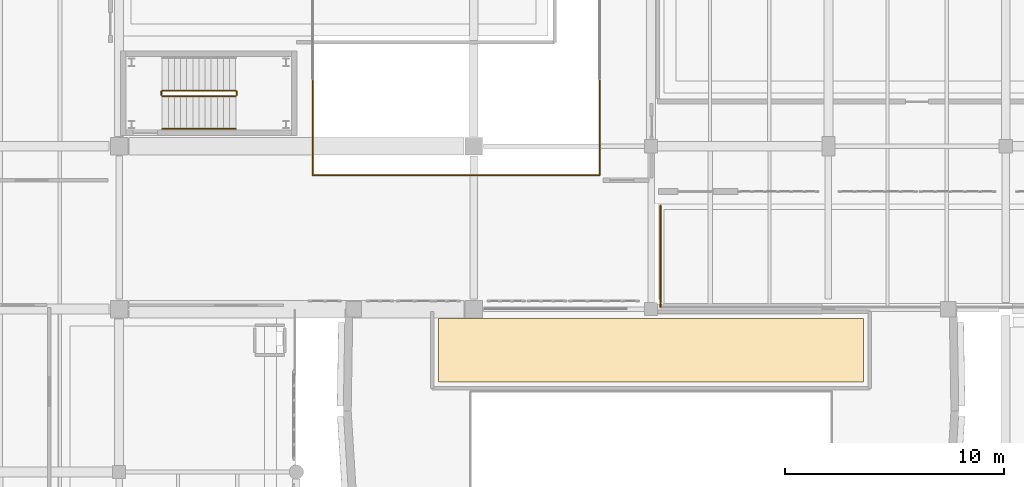
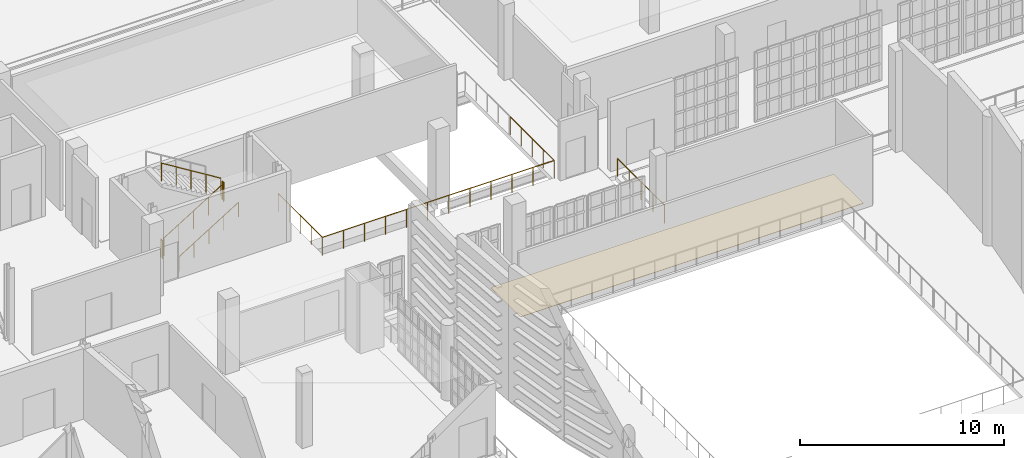
# One storey, part 68 of 73: 7 railings, 1 covering.
"""IFC4 building model written with IfcOpenShell, lengths in metres."""

from ifc_helpers import new_model, si_unit, direction, frame, origin, origin_2d, place, context, subcontext, project, spatial, polyline, circle, outline, extrude, material, layer, layer_set, type_object, element, save


model = new_model("IFC4")

# Units and contexts
model_context = context("Model", 3, precision=1e-05, world=origin(), true_north=direction((0.0, 1.0)))
body_context = subcontext(model_context, "Body", "Model", "MODEL_VIEW")
ifc_project = project(units=[si_unit("LENGTHUNIT", "METRE"), si_unit("AREAUNIT", "SQUARE_METRE"), si_unit("VOLUMEUNIT", "CUBIC_METRE"), si_unit("PLANEANGLEUNIT", "RADIAN"), si_unit("MASSUNIT", "GRAM", prefix="KILO")], contexts=[model_context])

# Site, building, storey
site_placement = place(None, origin())
site = spatial("IfcSite", under=ifc_project, at=site_placement, CompositionType="ELEMENT")
building_placement = place(site_placement, origin())
building = spatial("IfcBuilding", under=site, at=building_placement, Name="Kaelora Sail Theatre", CompositionType="ELEMENT")
storey_placement = place(building_placement, frame((0.0, 0.0, 10.199951171875)))
storey = spatial("IfcBuildingStorey", under=building, at=storey_placement, Name="L02", CompositionType="ELEMENT", Elevation=10.199951171875)

# Covering
ifc_material_1 = material(Name="Acoustic rubber backstage studio flooring", Category="rubber")
ifc_layer = layer(ifc_material_1, 0.02197265625)
ifc_layer_set = layer_set([ifc_layer], Name="Acoustic rubber backstage studio flooring")
covering_type = type_object("IfcCoveringType", Name="ARC-COV-FLR-AC-22", PredefinedType="FLOORING", material=ifc_layer_set)
covering_placement = place(storey_placement, origin())
element("IfcCovering", 1, at=covering_placement, inside=storey, type_object=covering_type, Name="Architectural flooring L02-STUD-TEC", PredefinedType="FLOORING", context=body_context, shape_type="SweptSolid", body=[
    extrude(outline(polyline([(80.89990234375, 57.699951171875), (100.300048828125, 57.699951171875), (100.300048828125, 60.60009765625), (80.89990234375, 60.60009765625), (80.89990234375, 57.699951171875)])), origin(), (0.0, 0.0, 1.0), 0.02197265625),
])

# Railings
ifc_material_2 = material(Name="Acoustic bronze and laminated glass balcony balustrade", Category="glass")
railing_type_1 = type_object("IfcRailingType", Name="ARC-RL-BAL", PredefinedType="BALUSTRADE", material=ifc_material_2)
railing_1_placement = place(storey_placement, frame((75.139892578125, 71.449951171875, 0.0)))
element("IfcRailing", 2, at=railing_1_placement, inside=storey, type_object=railing_type_1, Name="Interior void balustrade ATRIUM-2 south", PredefinedType="BALUSTRADE", context=body_context, shape_type="SweptSolid", body=[
    extrude(circle(Radius=0.02392578125, at=origin_2d()), frame((0.0, 0.0, 1.076171875), z_axis=(0.0, -1.0, 0.0), x_axis=(1.0, 0.0, 0.0)), (0.0, 0.0, 1.0), 4.31005859375),
    extrude(circle(Radius=0.02392578125, at=origin_2d()), frame((0.0, -4.31005859375, 1.076171875), z_axis=(1.0, 0.0, 0.0), x_axis=(0.0, 1.0, 0.0)), (0.0, 0.0, 1.0), 13.1201171875),
    extrude(circle(Radius=0.02392578125, at=origin_2d()), frame((13.1201171875, -4.31005859375, 1.076171875), z_axis=(0.0, 1.0, 0.0), x_axis=(-1.0, 0.0, 0.0)), (0.0, 0.0, 1.0), 4.31005859375),
    extrude(circle(Radius=0.02099609375, at=origin_2d()), origin(), (0.0, 0.0, 1.0), 1.052001953125),
    extrude(circle(Radius=0.02099609375, at=origin_2d()), frame((0.0, -1.07763671875, 0.0)), (0.0, 0.0, 1.0), 1.052001953125),
    extrude(circle(Radius=0.02099609375, at=origin_2d()), frame((0.0, -2.155029296875, 0.0)), (0.0, 0.0, 1.0), 1.052001953125),
    extrude(circle(Radius=0.02099609375, at=origin_2d()), frame((0.0, -3.232421875, 0.0)), (0.0, 0.0, 1.0), 1.052001953125),
    extrude(circle(Radius=0.02099609375, at=origin_2d()), frame((0.0, -4.31005859375, 0.0)), (0.0, 0.0, 1.0), 1.052001953125),
    extrude(circle(Radius=0.02099609375, at=origin_2d()), frame((1.192626953125, -4.31005859375, 0.0)), (0.0, 0.0, 1.0), 1.052001953125),
    extrude(circle(Radius=0.02099609375, at=origin_2d()), frame((2.385498046875, -4.31005859375, 0.0)), (0.0, 0.0, 1.0), 1.052001953125),
    extrude(circle(Radius=0.02099609375, at=origin_2d()), frame((3.578125, -4.31005859375, 0.0)), (0.0, 0.0, 1.0), 1.052001953125),
    extrude(circle(Radius=0.02099609375, at=origin_2d()), frame((4.77099609375, -4.31005859375, 0.0)), (0.0, 0.0, 1.0), 1.052001953125),
    extrude(circle(Radius=0.02099609375, at=origin_2d()), frame((5.963623046875, -4.31005859375, 0.0)), (0.0, 0.0, 1.0), 1.052001953125),
    extrude(circle(Radius=0.02099609375, at=origin_2d()), frame((7.156494140625, -4.31005859375, 0.0)), (0.0, 0.0, 1.0), 1.052001953125),
    extrude(circle(Radius=0.02099609375, at=origin_2d()), frame((8.34912109375, -4.31005859375, 0.0)), (0.0, 0.0, 1.0), 1.052001953125),
    extrude(circle(Radius=0.02099609375, at=origin_2d()), frame((9.5419921875, -4.31005859375, 0.0)), (0.0, 0.0, 1.0), 1.052001953125),
    extrude(circle(Radius=0.02099609375, at=origin_2d()), frame((10.734619140625, -4.31005859375, 0.0)), (0.0, 0.0, 1.0), 1.052001953125),
    extrude(circle(Radius=0.02099609375, at=origin_2d()), frame((11.927490234375, -4.31005859375, 0.0)), (0.0, 0.0, 1.0), 1.052001953125),
    extrude(circle(Radius=0.02099609375, at=origin_2d()), frame((13.1201171875, -4.31005859375, 0.0)), (0.0, 0.0, 1.0), 1.052001953125),
    extrude(circle(Radius=0.02099609375, at=origin_2d()), frame((13.1201171875, -3.232421875, 0.0)), (0.0, 0.0, 1.0), 1.052001953125),
    extrude(circle(Radius=0.02099609375, at=origin_2d()), frame((13.1201171875, -2.155029296875, 0.0)), (0.0, 0.0, 1.0), 1.052001953125),
    extrude(circle(Radius=0.02099609375, at=origin_2d()), frame((13.1201171875, -1.07763671875, 0.0)), (0.0, 0.0, 1.0), 1.052001953125),
    extrude(circle(Radius=0.02099609375, at=origin_2d()), frame((13.1201171875, 0.0, 0.0)), (0.0, 0.0, 1.0), 1.052001953125),
])
ifc_material_3 = material(Name="Painted steel and laminated safety glass guard", Category="steel")
railing_type_2 = type_object("IfcRailingType", Name="ARC-RL-GRD", PredefinedType="GUARDRAIL", material=ifc_material_3)
railing_2_placement = place(storey_placement, frame((68.27001953125, 70.75, 0.173095703125)))
element("IfcRailing", 3, at=railing_2_placement, inside=storey, type_object=railing_type_2, Name="L02 ST-F1 stair guard 1", PredefinedType="GUARDRAIL", context=body_context, shape_type="SweptSolid", body=[
    extrude(circle(Radius=0.02392578125, at=origin_2d()), frame((0.0, 0.0, 1.076171875), z_axis=(0.850606129759, 0.0, 0.525803396734), x_axis=(0.0, 1.0, 0.0)), (0.0, 0.0, 1.0), 3.949951171875),
    extrude(circle(Radius=0.02099609375, at=origin_2d()), origin(), (0.0, 0.0, 1.0), 1.052001953125),
    extrude(circle(Radius=0.02099609375, at=origin_2d()), frame((0.83984375, 0.0, 0.519287109375)), (0.0, 0.0, 1.0), 1.052001953125),
    extrude(circle(Radius=0.02099609375, at=origin_2d()), frame((1.679931640625, 0.0, 1.03857421875)), (0.0, 0.0, 1.0), 1.052001953125),
    extrude(circle(Radius=0.02099609375, at=origin_2d()), frame((2.52001953125, 0.0, 1.5576171875)), (0.0, 0.0, 1.0), 1.052001953125),
    extrude(circle(Radius=0.02099609375, at=origin_2d()), frame((3.35986328125, 0.0, 2.076904296875)), (0.0, 0.0, 1.0), 1.052001953125),
])
railing_3_placement = place(storey_placement, frame((71.679931640625, 70.800048828125, 2.25)))
element("IfcRailing", 4, at=railing_3_placement, inside=storey, type_object=railing_type_2, Name="L02 ST-F1 stair guard 2", PredefinedType="GUARDRAIL", context=body_context, shape_type="SweptSolid", body=[
    extrude(circle(Radius=0.02392578125, at=origin_2d()), frame((0.0, 0.0, 1.076171875), z_axis=(0.0, 1.0, 0.0), x_axis=(-1.0, 0.0, 0.0)), (0.0, 0.0, 1.0), 0.14990234375),
    extrude(circle(Radius=0.02099609375, at=origin_2d()), origin(), (0.0, 0.0, 1.0), 1.052001953125),
    extrude(circle(Radius=0.02099609375, at=origin_2d()), frame((0.0, 0.14990234375, 0.0)), (0.0, 0.0, 1.0), 1.052001953125),
])
railing_4_placement = place(storey_placement, frame((71.6298828125, 71.0, 2.423095703125)))
element("IfcRailing", 5, at=railing_4_placement, inside=storey, type_object=railing_type_2, Name="L02 ST-F1 stair guard 3", PredefinedType="GUARDRAIL", context=body_context, shape_type="SweptSolid", body=[
    extrude(circle(Radius=0.02392578125, at=origin_2d()), frame((0.0, 0.0, 1.076171875), z_axis=(-0.850606129759, 0.0, 0.525803396734), x_axis=(0.0, -1.0, 0.0)), (0.0, 0.0, 1.0), 3.949951171875),
    extrude(circle(Radius=0.02099609375, at=origin_2d()), origin(), (0.0, 0.0, 1.0), 1.052001953125),
    extrude(circle(Radius=0.02099609375, at=origin_2d()), frame((-0.83984375, 0.0, 0.519287109375)), (0.0, 0.0, 1.0), 1.052001953125),
    extrude(circle(Radius=0.02099609375, at=origin_2d()), frame((-1.679931640625, 0.0, 1.03857421875)), (0.0, 0.0, 1.0), 1.052001953125),
    extrude(circle(Radius=0.02099609375, at=origin_2d()), frame((-2.52001953125, 0.0, 1.5576171875)), (0.0, 0.0, 1.0), 1.052001953125),
    extrude(circle(Radius=0.02099609375, at=origin_2d()), frame((-3.35986328125, 0.0, 2.076904296875)), (0.0, 0.0, 1.0), 1.052001953125),
])
railing_5_placement = place(storey_placement, frame((68.219970703125, 70.800048828125, 0.0)))
element("IfcRailing", 6, at=railing_5_placement, inside=storey, type_object=railing_type_2, Name="L02 ST-F1 stair guard 4", PredefinedType="GUARDRAIL", context=body_context, shape_type="SweptSolid", body=[
    extrude(circle(Radius=0.02392578125, at=origin_2d()), frame((0.0, 0.0, 1.076171875), z_axis=(0.0, 1.0, 0.0), x_axis=(-1.0, 0.0, 0.0)), (0.0, 0.0, 1.0), 0.14990234375),
    extrude(circle(Radius=0.02099609375, at=origin_2d()), origin(), (0.0, 0.0, 1.0), 1.052001953125),
    extrude(circle(Radius=0.02099609375, at=origin_2d()), frame((0.0, 0.14990234375, 0.0)), (0.0, 0.0, 1.0), 1.052001953125),
])
ifc_material_4 = material(Name="Brushed stainless steel 316L tubular handrail", Category="steel")
railing_type_3 = type_object("IfcRailingType", Name="ARC-RL-HND", PredefinedType="HANDRAIL", material=ifc_material_4)
railing_6_placement = place(storey_placement, frame((68.27001953125, 69.25, 0.173095703125)))
element("IfcRailing", 7, at=railing_6_placement, inside=storey, type_object=railing_type_3, Name="L02 ST-F1 stair handrail 1", PredefinedType="HANDRAIL", context=body_context, shape_type="SweptSolid", body=[
    extrude(circle(Radius=0.02392578125, at=origin_2d()), frame((0.0, 0.0, 0.8759765625), z_axis=(0.850606129759, 0.0, 0.525803396734), x_axis=(0.0, 1.0, 0.0)), (0.0, 0.0, 1.0), 3.949951171875),
    extrude(circle(Radius=0.02099609375, at=origin_2d()), origin(), (0.0, 0.0, 1.0), 0.851806640625),
    extrude(circle(Radius=0.02099609375, at=origin_2d()), frame((0.83984375, 0.0, 0.519287109375)), (0.0, 0.0, 1.0), 0.851806640625),
    extrude(circle(Radius=0.02099609375, at=origin_2d()), frame((1.679931640625, 0.0, 1.03857421875)), (0.0, 0.0, 1.0), 0.851806640625),
    extrude(circle(Radius=0.02099609375, at=origin_2d()), frame((2.52001953125, 0.0, 1.5576171875)), (0.0, 0.0, 1.0), 0.851806640625),
    extrude(circle(Radius=0.02099609375, at=origin_2d()), frame((3.35986328125, 0.0, 2.076904296875)), (0.0, 0.0, 1.0), 0.851806640625),
])
ifc_material_5 = material(Name="Stainless steel 316L and laminated glass balustrade", Category="steel")
railing_type_4 = type_object("IfcRailingType", Name="ARC-RL-TER", PredefinedType="GUARDRAIL", material=ifc_material_5)
railing_7_placement = place(storey_placement, frame((91.030029296875, 61.114990234375, 0.0)))
element("IfcRailing", 8, at=railing_7_placement, inside=storey, type_object=railing_type_4, Name="Second Step East Interval Bar Planted Terrace Balustrade W", PredefinedType="GUARDRAIL", context=body_context, shape_type="SweptSolid", body=[
    extrude(circle(Radius=0.02392578125, at=origin_2d()), frame((0.0, 0.0, 1.076171875), z_axis=(0.0, 1.0, 0.0), x_axis=(-1.0, 0.0, 0.0)), (0.0, 0.0, 1.0), 4.6201171875),
    extrude(circle(Radius=0.02099609375, at=origin_2d()), origin(), (0.0, 0.0, 1.0), 1.052001953125),
    extrude(circle(Radius=0.02099609375, at=origin_2d()), frame((0.0, 1.155029296875, 0.0)), (0.0, 0.0, 1.0), 1.052001953125),
    extrude(circle(Radius=0.02099609375, at=origin_2d()), frame((0.0, 2.31005859375, 0.0)), (0.0, 0.0, 1.0), 1.052001953125),
    extrude(circle(Radius=0.02099609375, at=origin_2d()), frame((0.0, 3.465087890625, 0.0)), (0.0, 0.0, 1.0), 1.052001953125),
    extrude(circle(Radius=0.02099609375, at=origin_2d()), frame((0.0, 4.6201171875, 0.0)), (0.0, 0.0, 1.0), 1.052001953125),
])

save(model, "model.ifc")
